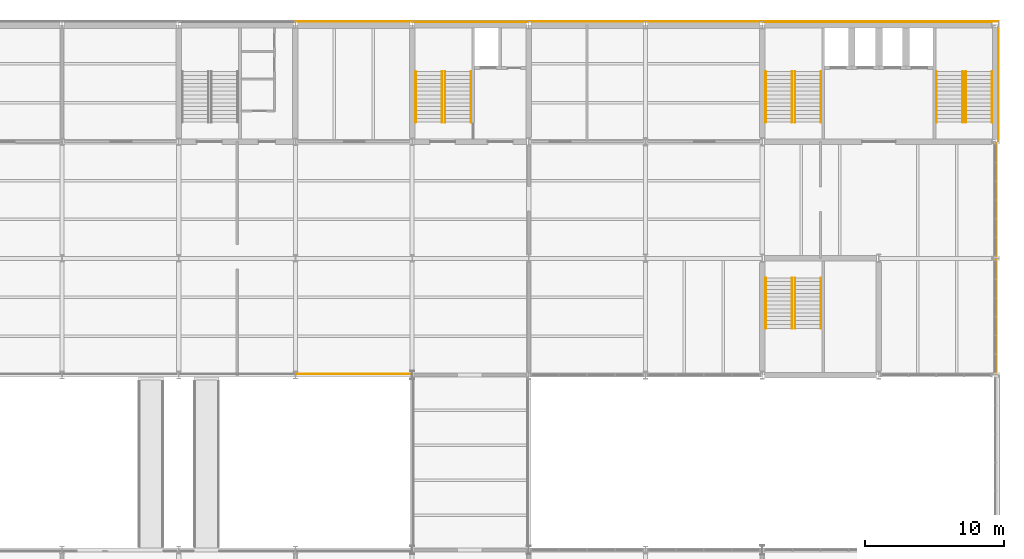
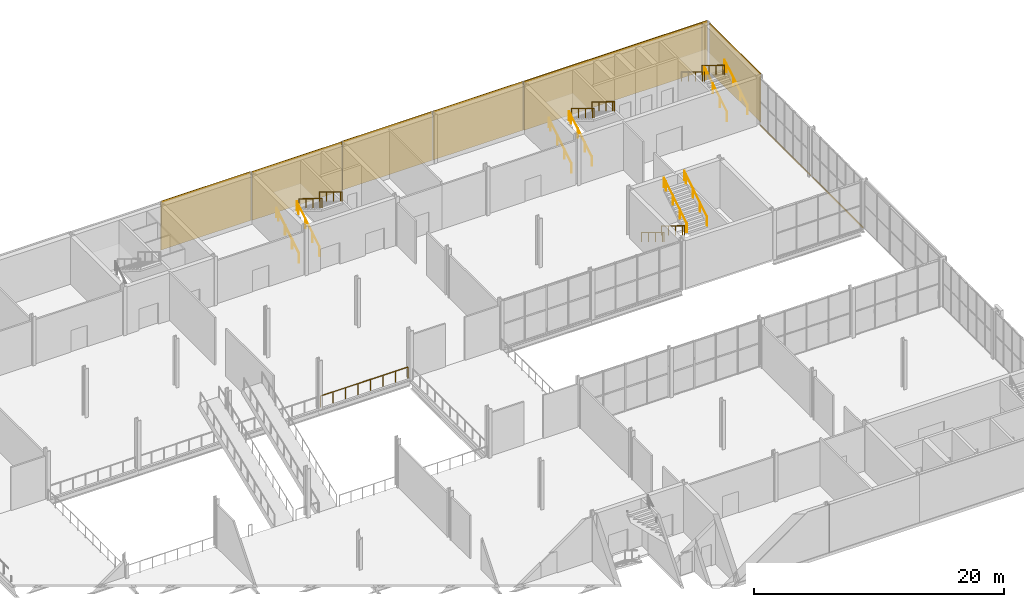
# One storey, part 58 of 61: 17 railings, 9 coverings.
"""IFC4 building model written with IfcOpenShell, lengths in metres."""

import ifcopenshell
import ifcopenshell.guid

model = None  # the IFC model being written
_history = None  # IfcOwnerHistory: only IFC2X3 demands one
_inside = {}  # id of a spatial element -> (the spatial element, [elements in it])
_under = {}  # id of a project, library or spatial element -> (it, [spatial elements below it])
_declared = {}  # id of a project -> (the project, [libraries it declares])
_typed = {}  # id of a type object -> (the type object, [elements of that type])
_made_of = {}  # id of a material, layer set ... -> (it, [elements and type objects made of it])


def new_model(schema):
    """Start an empty IFC model of exactly this schema.

    Asked for "IFC4X3", IfcOpenShell would pick the latest addendum, in which some entities
    have other attributes; the version numbers below select the first issue.
    IFC2X3 requires an IfcOwnerHistory on every rooted entity: one is made here for all.
    """
    global model, _history
    if schema == "IFC4X3":
        model = ifcopenshell.file(schema_version=(4, 3, 0, 0))
    else:
        model = ifcopenshell.file(schema=schema)
    _inside.clear()
    _under.clear()
    _declared.clear()
    _typed.clear()
    _made_of.clear()
    _history = None
    if model.schema == "IFC2X3":
        org = make("IfcOrganization", Name="unknown")
        user = make(
            "IfcPersonAndOrganization",
            ThePerson=make("IfcPerson", FamilyName="unknown"),
            TheOrganization=org,
        )
        app = make(
            "IfcApplication",
            ApplicationDeveloper=org,
            Version="unknown",
            ApplicationFullName="unknown",
            ApplicationIdentifier="unknown",
        )
        _history = make(
            "IfcOwnerHistory",
            OwningUser=user,
            OwningApplication=app,
            ChangeAction="ADDED",
            CreationDate=0,
        )
    return model


def make(cls, **values):
    """One entity of the class cls with the attributes given. An attribute that is None is left unset."""
    return model.create_entity(
        cls, **{name: value for name, value in values.items() if value is not None}
    )


def rooted(cls, **values):
    """An entity with a GlobalId (a new one), such as an element, a storey or a relation."""
    return make(cls, GlobalId=ifcopenshell.guid.new(), OwnerHistory=_history, **values)


def si_unit(unit_type, name, prefix=None):
    """IfcSIUnit, for example si_unit("LENGTHUNIT", "METRE", prefix="MILLI")."""
    return make("IfcSIUnit", UnitType=unit_type, Prefix=prefix, Name=name)


def assignment(units):
    """IfcUnitAssignment: the units of a project."""
    return None if units is None else make("IfcUnitAssignment", Units=units)


def point(xyz):
    """IfcCartesianPoint."""
    return None if xyz is None else make("IfcCartesianPoint", Coordinates=xyz)


def direction(xyz):
    """IfcDirection."""
    return None if xyz is None else make("IfcDirection", DirectionRatios=xyz)


def frame(location, z_axis=None, x_axis=None):
    """IfcAxis2Placement3D, a coordinate frame: its origin and axes. An axis left out is left unset."""
    return make(
        "IfcAxis2Placement3D",
        Location=point(location),
        Axis=direction(z_axis),
        RefDirection=direction(x_axis),
    )


def frame_2d(location, x_axis=None):
    """IfcAxis2Placement2D, a coordinate frame in the plane: its origin and x axis."""
    return make(
        "IfcAxis2Placement2D", Location=point(location), RefDirection=direction(x_axis)
    )


def origin():
    """The frame at (0, 0, 0) with its axes left unset."""
    return frame((0.0, 0.0, 0.0))


def origin_2d():
    """The frame at (0, 0) in the plane with its x axis left unset."""
    return frame_2d((0.0, 0.0))


def place(relative_to, where):
    """IfcLocalPlacement: puts the frame where relative to a parent placement (None: the world)."""
    return make(
        "IfcLocalPlacement", PlacementRelTo=relative_to, RelativePlacement=where
    )


def context(
    kind, dimensions, precision=None, world=None, true_north=None, identifier=None
):
    """IfcGeometricRepresentationContext, for example the 3D "Model" context."""
    return make(
        "IfcGeometricRepresentationContext",
        ContextIdentifier=identifier,
        ContextType=kind,
        CoordinateSpaceDimension=dimensions,
        Precision=precision,
        WorldCoordinateSystem=world,
        TrueNorth=true_north,
    )


def subcontext(parent, identifier, kind, view, scale=None):
    """IfcGeometricRepresentationSubContext, for example "Body" below "Model"."""
    return make(
        "IfcGeometricRepresentationSubContext",
        ContextIdentifier=identifier,
        ContextType=kind,
        ParentContext=parent,
        TargetScale=scale,
        TargetView=view,
    )


def project(units=None, contexts=None):
    """IfcProject with its units and contexts."""
    return rooted(
        "IfcProject",
        Name="project",
        RepresentationContexts=contexts,
        UnitsInContext=assignment(units),
    )


def spatial(cls, under=None, at=None, **own):
    """A site, building, storey or space (cls), placed at a placement, below another one or the project."""
    s = rooted(cls, ObjectPlacement=at, **own)
    if under is not None:
        _under.setdefault(under.id(), (under, []))[1].append(s)
    return s


def profile(cls, at=None, kind="AREA", **sizes):
    """A parametric profile (cls). Its sizes go by their IFC names, for example OverallWidth=200.0."""
    return make(cls, ProfileType=kind, Position=at, **sizes)


def rectangle(**sizes):
    """IfcRectangleProfileDef."""
    return profile("IfcRectangleProfileDef", **sizes)


def circle(**sizes):
    """IfcCircleProfileDef."""
    return profile("IfcCircleProfileDef", **sizes)


def extrude(swept, where, along, depth):
    """IfcExtrudedAreaSolid: the profile swept, set in the frame where, extruded along a direction by depth."""
    return make(
        "IfcExtrudedAreaSolid",
        SweptArea=swept,
        Position=where,
        ExtrudedDirection=direction(along),
        Depth=depth,
    )


def shape(context_of_items, identifier, shape_type, items):
    """IfcShapeRepresentation: the items that make up one representation, for example the "Body"."""
    return make(
        "IfcShapeRepresentation",
        ContextOfItems=context_of_items,
        RepresentationIdentifier=identifier,
        RepresentationType=shape_type,
        Items=items,
    )


def material(Name=None, Category=None):
    """IfcMaterial."""
    return make("IfcMaterial", Name=Name, Category=Category)


def layer(
    of_material, thickness, ventilated=None, Name=None, Category=None, Priority=None
):
    """IfcMaterialLayer: one layer of a wall or slab, of a material (None: an air gap)."""
    return make(
        "IfcMaterialLayer",
        Material=of_material,
        LayerThickness=thickness,
        IsVentilated=ventilated,
        Name=Name,
        Category=Category,
        Priority=Priority,
    )


def layer_set(layers, Name=None):
    """IfcMaterialLayerSet."""
    return make("IfcMaterialLayerSet", MaterialLayers=layers, LayerSetName=Name)


def made_of(thing, what):
    """Note that an element or type object is made of a material, layer set ...; save() writes the relation."""
    if what is not None:
        _made_of.setdefault(what.id(), (what, []))[1].append(thing)
    return thing


def type_object(cls, material=None, **own):
    """A type object (cls), such as IfcWallType, which elements share."""
    return made_of(rooted(cls, **own), material)


def element(
    cls,
    number,
    at=None,
    inside=None,
    cuts=None,
    type_object=None,
    material=None,
    context=None,
    identifier="Body",
    shape_type=None,
    held_by="IfcProductDefinitionShape",
    body=None,
    shapes=None,
    **own,
):
    """One element of the class cls, such as IfcWall. Its Tag is "e" and its number.

    at: its placement. inside: the storey or other place that contains it. cuts: it is an
    opening in that element (IfcRelVoidsElement). A single representation is given by context,
    identifier, shape_type and body (its items); several are given by shapes. held_by: the class
    of the entity that holds the representations. save() writes the other relations.
    """
    e = rooted(cls, Tag="e%d" % number, ObjectPlacement=at, **own)
    if body is not None:
        shapes = [shape(context, identifier, shape_type, body)]
    if shapes is not None:
        e.Representation = make(held_by, Representations=shapes)
    if inside is not None:
        _inside.setdefault(inside.id(), (inside, []))[1].append(e)
    if cuts is not None:
        rooted(
            "IfcRelVoidsElement", RelatingBuildingElement=cuts, RelatedOpeningElement=e
        )
    if type_object is not None:
        _typed.setdefault(type_object.id(), (type_object, []))[1].append(e)
    return made_of(e, material)


def aggregate(whole, parts):
    """IfcRelAggregates: a whole, such as a stair, and the parts it consists of."""
    return rooted("IfcRelAggregates", RelatingObject=whole, RelatedObjects=parts)


def save(model, path):
    """Write the relations noted so far, then the file.

    IfcRelAggregates (storeys below a building ...), IfcRelContainedInSpatialStructure (elements
    in a storey), IfcRelDefinesByType, IfcRelAssociatesMaterial and IfcRelDeclares: one each for
    every whole, place, type object, material and project.
    """
    for whole, parts in _under.values():
        aggregate(whole, parts)
    for where, things in _inside.values():
        rooted(
            "IfcRelContainedInSpatialStructure",
            RelatedElements=things,
            RelatingStructure=where,
        )
    for kind, things in _typed.values():
        rooted("IfcRelDefinesByType", RelatedObjects=things, RelatingType=kind)
    for what, things in _made_of.values():
        rooted("IfcRelAssociatesMaterial", RelatedObjects=things, RelatingMaterial=what)
    for by, libraries in _declared.values():
        rooted("IfcRelDeclares", RelatingContext=by, RelatedDefinitions=libraries)
    model.write(path)


model = new_model("IFC4")

# Units and contexts
model_context = context("Model", 3, precision=1e-05, world=origin(), true_north=direction((0.0, 1.0)))
body_context = subcontext(model_context, "Body", "Model", "MODEL_VIEW")
ifc_project = project(units=[si_unit("LENGTHUNIT", "METRE"), si_unit("AREAUNIT", "SQUARE_METRE"), si_unit("VOLUMEUNIT", "CUBIC_METRE"), si_unit("PLANEANGLEUNIT", "RADIAN"), si_unit("MASSUNIT", "GRAM", prefix="KILO")], contexts=[model_context])

# Site, building, storey
site_placement = place(None, origin())
site = spatial("IfcSite", under=ifc_project, at=site_placement, CompositionType="ELEMENT")
building_placement = place(site_placement, origin())
building = spatial("IfcBuilding", under=site, at=building_placement, Name="Galleria Vessillo Department Store", CompositionType="ELEMENT")
storey_placement = place(building_placement, frame((0.0, 0.0, 11.39990234375)))
storey = spatial("IfcBuildingStorey", under=building, at=storey_placement, Name="L02", CompositionType="ELEMENT", Elevation=11.39990234375)

# Railing
ifc_material_1 = material(Name="Stainless steel tube", Category="steel")
railing_type_1 = type_object("IfcRailingType", Name="Atrium edge guard 1100 mm", PredefinedType="GUARDRAIL", material=ifc_material_1)
railing_placement = place(storey_placement, frame((67.35302734375, 37.880126953125, 0.0)))
element("IfcRailing", 1, at=railing_placement, inside=storey, type_object=railing_type_1, Name="Atrium edge guard L02-11", PredefinedType="GUARDRAIL", context=body_context, shape_type="SweptSolid", body=[
    extrude(circle(Radius=0.02392578125, at=origin_2d()), frame((0.0, 0.0, 1.076171875), z_axis=(1.0, 0.0, 0.0), x_axis=(0.0, 1.0, 0.0)), (0.0, 0.0, 1.0), 8.094482421875),
    extrude(circle(Radius=0.02099609375, at=origin_2d()), origin(), (0.0, 0.0, 1.0), 1.052001953125),
    extrude(circle(Radius=0.02099609375, at=origin_2d()), frame((1.15625, 0.0, 0.0)), (0.0, 0.0, 1.0), 1.052001953125),
    extrude(circle(Radius=0.02099609375, at=origin_2d()), frame((2.312744140625, 0.0, 0.0)), (0.0, 0.0, 1.0), 1.052001953125),
    extrude(circle(Radius=0.02099609375, at=origin_2d()), frame((3.468994140625, 0.0, 0.0)), (0.0, 0.0, 1.0), 1.052001953125),
    extrude(circle(Radius=0.02099609375, at=origin_2d()), frame((4.62548828125, 0.0, 0.0)), (0.0, 0.0, 1.0), 1.052001953125),
    extrude(circle(Radius=0.02099609375, at=origin_2d()), frame((5.78173828125, 0.0, 0.0)), (0.0, 0.0, 1.0), 1.052001953125),
    extrude(circle(Radius=0.02099609375, at=origin_2d()), frame((6.938232421875, 0.0, 0.0)), (0.0, 0.0, 1.0), 1.052001953125),
    extrude(circle(Radius=0.02099609375, at=origin_2d()), frame((8.094482421875, 0.0, 0.0)), (0.0, 0.0, 1.0), 1.052001953125),
])

# Coverings
ifc_material_2 = material(Name="Lime plaster (intonaco) ochre")
ifc_layer_1 = layer(ifc_material_2, 0.030029296875)
ifc_layer_set_1 = layer_set([ifc_layer_1], Name="Lime plaster (intonaco) ochre")
covering_type_1 = type_object("IfcCoveringType", Name="Lime plaster render 30 mm", PredefinedType="CLADDING", material=ifc_layer_set_1)
covering_1_placement = place(storey_placement, frame((71.39990234375, 63.264892578125, 0.0), z_axis=(0.0, 0.0, 1.0), x_axis=(1.0, 0.0, 0.0)))
element("IfcCovering", 2, at=covering_1_placement, inside=storey, type_object=covering_type_1, Name="Wall cladding S-PN-L02-06", PredefinedType="CLADDING", context=body_context, shape_type="SweptSolid", body=[
    extrude(rectangle(XDim=8.34033203125, YDim=0.030029296875, at=origin_2d()), origin(), (0.0, 0.0, 1.0), 4.800048828125),
])
covering_2_placement = place(storey_placement, frame((79.798583984375, 63.215087890625, 0.0), z_axis=(0.0, 0.0, 1.0), x_axis=(1.0, 0.0, 0.0)))
element("IfcCovering", 3, at=covering_2_placement, inside=storey, type_object=covering_type_1, Name="Wall cladding S-CW-PC-NE-PARTY-L02", PredefinedType="CLADDING", context=body_context, shape_type="SweptSolid", body=[
    extrude(rectangle(XDim=8.3369140625, YDim=0.030029296875, at=origin_2d()), origin(), (0.0, 0.0, 1.0), 4.800048828125),
])
covering_3_placement = place(storey_placement, frame((88.199951171875, 63.264892578125, 0.0), z_axis=(0.0, 0.0, 1.0), x_axis=(1.0, 0.0, 0.0)))
element("IfcCovering", 4, at=covering_3_placement, inside=storey, type_object=covering_type_1, Name="Wall cladding S-PN-L02-07", PredefinedType="CLADDING", context=body_context, shape_type="SweptSolid", body=[
    extrude(rectangle(XDim=8.333740234375, YDim=0.030029296875, at=origin_2d()), origin(), (0.0, 0.0, 1.0), 4.800048828125),
])
covering_4_placement = place(storey_placement, frame((96.60009765625, 63.264892578125, 0.0), z_axis=(0.0, 0.0, 1.0), x_axis=(1.0, 0.0, 0.0)))
element("IfcCovering", 5, at=covering_4_placement, inside=storey, type_object=covering_type_1, Name="Wall cladding S-PN-L02-08", PredefinedType="CLADDING", context=body_context, shape_type="SweptSolid", body=[
    extrude(rectangle(XDim=8.333984375, YDim=0.030029296875, at=origin_2d()), origin(), (0.0, 0.0, 1.0), 4.800048828125),
])
covering_5_placement = place(storey_placement, frame((109.073486328125, 63.215087890625, 0.0), z_axis=(0.0, 0.0, 1.0), x_axis=(1.0, 0.0, 0.0)))
element("IfcCovering", 6, at=covering_5_placement, inside=storey, type_object=covering_type_1, Name="Wall cladding S-CW-TC-PARTY-L02", PredefinedType="CLADDING", context=body_context, shape_type="SweptSolid", body=[
    extrude(rectangle(XDim=16.48095703125, YDim=0.030029296875, at=origin_2d()), origin(), (0.0, 0.0, 1.0), 4.800048828125),
])
covering_6_placement = place(storey_placement, frame((109.298583984375, 63.264892578125, 0.0), z_axis=(0.0, 0.0, 1.0), x_axis=(1.0, 0.0, 0.0)))
element("IfcCovering", 7, at=covering_6_placement, inside=storey, type_object=covering_type_1, Name="Corner cladding L02 y=63 south/north face", PredefinedType="CLADDING", context=body_context, shape_type="SweptSolid", body=[
    extrude(rectangle(XDim=17.06298828125, YDim=0.030029296875, at=origin_2d()), origin(), (0.0, 0.0, 1.0), 4.800048828125),
])
ifc_material_3 = material(Name="Botticino limestone ashlar", Category="masonry")
ifc_layer_2 = layer(ifc_material_3, 0.14990234375)
ifc_layer_set_2 = layer_set([ifc_layer_2], Name="Botticino limestone ashlar")
covering_type_2 = type_object("IfcCoveringType", Name="Limestone slab-edge fascia 150 mm", PredefinedType="CLADDING", material=ifc_layer_set_2)
covering_7_placement = place(storey_placement, frame((117.630126953125, 42.0, -0.14990234375), z_axis=(0.0, 0.0, 1.0), x_axis=(1.0, 0.0, 0.0)))
element("IfcCovering", 8, at=covering_7_placement, inside=storey, type_object=covering_type_2, Name="Slab-edge fascia SE-N-L01-01", PredefinedType="CLADDING", context=body_context, shape_type="SweptSolid", body=[
    extrude(rectangle(XDim=0.06005859375, YDim=8.093994140625, at=origin_2d()), origin(), (0.0, 0.0, 1.0), 0.14990234375),
])
covering_8_placement = place(storey_placement, frame((117.630126953125, 50.39990234375, -0.14990234375), z_axis=(0.0, 0.0, 1.0), x_axis=(1.0, 0.0, 0.0)))
element("IfcCovering", 9, at=covering_8_placement, inside=storey, type_object=covering_type_2, Name="Slab-edge fascia SE-N-L01-02", PredefinedType="CLADDING", context=body_context, shape_type="SweptSolid", body=[
    extrude(rectangle(XDim=0.06005859375, YDim=8.09423828125, at=origin_2d()), origin(), (0.0, 0.0, 1.0), 0.14990234375),
])
ifc_material_4 = material(Name="Botticino limestone ashlar", Category="masonry")
ifc_layer_3 = layer(ifc_material_4, 0.030029296875)
ifc_layer_set_3 = layer_set([ifc_layer_3], Name="Botticino limestone ashlar")
covering_type_3 = type_object("IfcCoveringType", Name="Limestone wall cladding 30 mm", PredefinedType="CLADDING", material=ifc_layer_set_3)
covering_9_placement = place(storey_placement, frame((117.815185546875, 58.739990234375, 0.0), z_axis=(0.0, 0.0, 1.0), x_axis=(1.0, 0.0, 0.0)))
element("IfcCovering", 10, at=covering_9_placement, inside=storey, type_object=covering_type_3, Name="Wall cladding S-CW-TC-EAST-L02", PredefinedType="CLADDING", context=body_context, shape_type="SweptSolid", body=[
    extrude(rectangle(XDim=0.030029296875, YDim=8.2138671875, at=origin_2d()), origin(), (0.0, 0.0, 1.0), 4.800048828125),
])

# Railings
ifc_material_5 = material(Name="Stainless steel tube", Category="steel")
railing_type_2 = type_object("IfcRailingType", Name="Stair handrail steel tube 48 mm", PredefinedType="HANDRAIL", material=ifc_material_5)
for number, where, name in (
    (11, (75.860107421875, 56.0, 0.17138671875), "Handrail ST6 L02 flight 1A"),
    (12, (77.739990234375, 56.0, 0.17138671875), "Handrail ST6 L02 flight 1B"),
):
    element("IfcRailing", number, at=place(storey_placement, frame(where)), inside=storey, type_object=railing_type_2, Name=name, PredefinedType="HANDRAIL", context=body_context, shape_type="SweptSolid", body=[
        extrude(circle(Radius=0.02392578125, at=origin_2d()), frame((0.0, 0.0, 0.89599609375), z_axis=(0.0, 0.852849614702, 0.52215661894), x_axis=(-1.0, 0.0, 0.0)), (0.0, 0.0, 1.0), 1.3134765625),
        extrude(circle(Radius=0.02392578125, at=origin_2d()), frame((0.0, 1.1201171875, 1.58154296875), z_axis=(0.0, 0.852798921012, 0.522239409008), x_axis=(-1.0, 0.0, 0.0)), (0.0, 0.0, 1.0), 1.313232421875),
        extrude(circle(Radius=0.02392578125, at=origin_2d()), frame((0.0, 2.239990234375, 2.267578125), z_axis=(0.0, 0.852932391421, 0.522021393877), x_axis=(-1.0, 0.0, 0.0)), (0.0, 0.0, 1.0), 1.313232421875),
        extrude(circle(Radius=0.02392578125, at=origin_2d()), frame((0.0, 3.360107421875, 2.953125), z_axis=(0.0, 0.852729557261, 0.522352660731), x_axis=(-1.0, 0.0, 0.0)), (0.0, 0.0, 1.0), 0.328125),
        extrude(circle(Radius=0.02099609375, at=origin_2d()), origin(), (0.0, 0.0, 1.0), 0.871826171875),
        extrude(circle(Radius=0.02099609375, at=origin_2d()), frame((0.0, 1.1201171875, 0.685791015625)), (0.0, 0.0, 1.0), 0.871826171875),
        extrude(circle(Radius=0.02099609375, at=origin_2d()), frame((0.0, 2.239990234375, 1.37158203125)), (0.0, 0.0, 1.0), 0.871826171875),
        extrude(circle(Radius=0.02099609375, at=origin_2d()), frame((0.0, 3.360107421875, 2.05712890625)), (0.0, 0.0, 1.0), 0.871826171875),
        extrude(circle(Radius=0.02099609375, at=origin_2d()), frame((0.0, 3.639892578125, 2.228515625)), (0.0, 0.0, 1.0), 0.871826171875),
    ])
for number, where, name in (
    (13, (79.83984375, 59.639892578125, 2.571533203125), "Handrail ST6 L02 flight 2A"),
    (14, (77.9599609375, 59.639892578125, 2.571533203125), "Handrail ST6 L02 flight 2B"),
):
    element("IfcRailing", number, at=place(storey_placement, frame(where)), inside=storey, type_object=railing_type_2, Name=name, PredefinedType="HANDRAIL", context=body_context, shape_type="SweptSolid", body=[
        extrude(circle(Radius=0.02392578125, at=origin_2d()), frame((0.0, 0.0, 0.89599609375), z_axis=(0.0, -0.852849614702, 0.52215661894), x_axis=(1.0, 0.0, 0.0)), (0.0, 0.0, 1.0), 1.3134765625),
        extrude(circle(Radius=0.02392578125, at=origin_2d()), frame((0.0, -1.1201171875, 1.58154296875), z_axis=(0.0, -0.852798921012, 0.522239409008), x_axis=(1.0, 0.0, 0.0)), (0.0, 0.0, 1.0), 1.313232421875),
        extrude(circle(Radius=0.02392578125, at=origin_2d()), frame((0.0, -2.239990234375, 2.267578125), z_axis=(0.0, -0.852932391421, 0.522021393877), x_axis=(1.0, 0.0, 0.0)), (0.0, 0.0, 1.0), 1.313232421875),
        extrude(circle(Radius=0.02392578125, at=origin_2d()), frame((0.0, -3.360107421875, 2.953125), z_axis=(0.0, -0.852729557261, 0.522352660731), x_axis=(1.0, 0.0, 0.0)), (0.0, 0.0, 1.0), 0.328125),
        extrude(circle(Radius=0.02099609375, at=origin_2d()), origin(), (0.0, 0.0, 1.0), 0.871826171875),
        extrude(circle(Radius=0.02099609375, at=origin_2d()), frame((0.0, -1.1201171875, 0.685791015625)), (0.0, 0.0, 1.0), 0.871826171875),
        extrude(circle(Radius=0.02099609375, at=origin_2d()), frame((0.0, -2.239990234375, 1.37158203125)), (0.0, 0.0, 1.0), 0.871826171875),
        extrude(circle(Radius=0.02099609375, at=origin_2d()), frame((0.0, -3.360107421875, 2.05712890625)), (0.0, 0.0, 1.0), 0.871826171875),
        extrude(circle(Radius=0.02099609375, at=origin_2d()), frame((0.0, -3.639892578125, 2.228515625)), (0.0, 0.0, 1.0), 0.871826171875),
    ])
for number, where, name in (
    (15, (101.06005859375, 56.0, 0.17138671875), "Handrail ST8 L02 flight 1A"),
    (16, (102.93994140625, 56.0, 0.17138671875), "Handrail ST8 L02 flight 1B"),
):
    element("IfcRailing", number, at=place(storey_placement, frame(where)), inside=storey, type_object=railing_type_2, Name=name, PredefinedType="HANDRAIL", context=body_context, shape_type="SweptSolid", body=[
        extrude(circle(Radius=0.02392578125, at=origin_2d()), frame((0.0, 0.0, 0.89599609375), z_axis=(0.0, 0.852849614702, 0.52215661894), x_axis=(-1.0, 0.0, 0.0)), (0.0, 0.0, 1.0), 1.3134765625),
        extrude(circle(Radius=0.02392578125, at=origin_2d()), frame((0.0, 1.1201171875, 1.58154296875), z_axis=(0.0, 0.852798921012, 0.522239409008), x_axis=(-1.0, 0.0, 0.0)), (0.0, 0.0, 1.0), 1.313232421875),
        extrude(circle(Radius=0.02392578125, at=origin_2d()), frame((0.0, 2.239990234375, 2.267578125), z_axis=(0.0, 0.852932391421, 0.522021393877), x_axis=(-1.0, 0.0, 0.0)), (0.0, 0.0, 1.0), 1.313232421875),
        extrude(circle(Radius=0.02392578125, at=origin_2d()), frame((0.0, 3.360107421875, 2.953125), z_axis=(0.0, 0.852729557261, 0.522352660731), x_axis=(-1.0, 0.0, 0.0)), (0.0, 0.0, 1.0), 0.328125),
        extrude(circle(Radius=0.02099609375, at=origin_2d()), origin(), (0.0, 0.0, 1.0), 0.871826171875),
        extrude(circle(Radius=0.02099609375, at=origin_2d()), frame((0.0, 1.1201171875, 0.685791015625)), (0.0, 0.0, 1.0), 0.871826171875),
        extrude(circle(Radius=0.02099609375, at=origin_2d()), frame((0.0, 2.239990234375, 1.37158203125)), (0.0, 0.0, 1.0), 0.871826171875),
        extrude(circle(Radius=0.02099609375, at=origin_2d()), frame((0.0, 3.360107421875, 2.05712890625)), (0.0, 0.0, 1.0), 0.871826171875),
        extrude(circle(Radius=0.02099609375, at=origin_2d()), frame((0.0, 3.639892578125, 2.228515625)), (0.0, 0.0, 1.0), 0.871826171875),
    ])
for number, where, name in (
    (17, (105.0400390625, 59.639892578125, 2.571533203125), "Handrail ST8 L02 flight 2A"),
    (18, (103.16015625, 59.639892578125, 2.571533203125), "Handrail ST8 L02 flight 2B"),
):
    element("IfcRailing", number, at=place(storey_placement, frame(where)), inside=storey, type_object=railing_type_2, Name=name, PredefinedType="HANDRAIL", context=body_context, shape_type="SweptSolid", body=[
        extrude(circle(Radius=0.02392578125, at=origin_2d()), frame((0.0, 0.0, 0.89599609375), z_axis=(0.0, -0.852849614702, 0.52215661894), x_axis=(1.0, 0.0, 0.0)), (0.0, 0.0, 1.0), 1.3134765625),
        extrude(circle(Radius=0.02392578125, at=origin_2d()), frame((0.0, -1.1201171875, 1.58154296875), z_axis=(0.0, -0.852798921012, 0.522239409008), x_axis=(1.0, 0.0, 0.0)), (0.0, 0.0, 1.0), 1.313232421875),
        extrude(circle(Radius=0.02392578125, at=origin_2d()), frame((0.0, -2.239990234375, 2.267578125), z_axis=(0.0, -0.852932391421, 0.522021393877), x_axis=(1.0, 0.0, 0.0)), (0.0, 0.0, 1.0), 1.313232421875),
        extrude(circle(Radius=0.02392578125, at=origin_2d()), frame((0.0, -3.360107421875, 2.953125), z_axis=(0.0, -0.852729557261, 0.522352660731), x_axis=(1.0, 0.0, 0.0)), (0.0, 0.0, 1.0), 0.328125),
        extrude(circle(Radius=0.02099609375, at=origin_2d()), origin(), (0.0, 0.0, 1.0), 0.871826171875),
        extrude(circle(Radius=0.02099609375, at=origin_2d()), frame((0.0, -1.1201171875, 0.685791015625)), (0.0, 0.0, 1.0), 0.871826171875),
        extrude(circle(Radius=0.02099609375, at=origin_2d()), frame((0.0, -2.239990234375, 1.37158203125)), (0.0, 0.0, 1.0), 0.871826171875),
        extrude(circle(Radius=0.02099609375, at=origin_2d()), frame((0.0, -3.360107421875, 2.05712890625)), (0.0, 0.0, 1.0), 0.871826171875),
        extrude(circle(Radius=0.02099609375, at=origin_2d()), frame((0.0, -3.639892578125, 2.228515625)), (0.0, 0.0, 1.0), 0.871826171875),
    ])
for number, where, name in (
    (19, (115.4599609375, 56.0, 0.17138671875), "Handrail ST9 L02 flight 1A"),
    (20, (117.33984375, 56.0, 0.17138671875), "Handrail ST9 L02 flight 1B"),
):
    element("IfcRailing", number, at=place(storey_placement, frame(where)), inside=storey, type_object=railing_type_2, Name=name, PredefinedType="HANDRAIL", context=body_context, shape_type="SweptSolid", body=[
        extrude(circle(Radius=0.02392578125, at=origin_2d()), frame((0.0, 0.0, 0.89599609375), z_axis=(0.0, 0.852849614702, 0.52215661894), x_axis=(-1.0, 0.0, 0.0)), (0.0, 0.0, 1.0), 1.3134765625),
        extrude(circle(Radius=0.02392578125, at=origin_2d()), frame((0.0, 1.1201171875, 1.58154296875), z_axis=(0.0, 0.852798921012, 0.522239409008), x_axis=(-1.0, 0.0, 0.0)), (0.0, 0.0, 1.0), 1.313232421875),
        extrude(circle(Radius=0.02392578125, at=origin_2d()), frame((0.0, 2.239990234375, 2.267578125), z_axis=(0.0, 0.852932391421, 0.522021393877), x_axis=(-1.0, 0.0, 0.0)), (0.0, 0.0, 1.0), 1.313232421875),
        extrude(circle(Radius=0.02392578125, at=origin_2d()), frame((0.0, 3.360107421875, 2.953125), z_axis=(0.0, 0.852729557261, 0.522352660731), x_axis=(-1.0, 0.0, 0.0)), (0.0, 0.0, 1.0), 0.328125),
        extrude(circle(Radius=0.02099609375, at=origin_2d()), origin(), (0.0, 0.0, 1.0), 0.871826171875),
        extrude(circle(Radius=0.02099609375, at=origin_2d()), frame((0.0, 1.1201171875, 0.685791015625)), (0.0, 0.0, 1.0), 0.871826171875),
        extrude(circle(Radius=0.02099609375, at=origin_2d()), frame((0.0, 2.239990234375, 1.37158203125)), (0.0, 0.0, 1.0), 0.871826171875),
        extrude(circle(Radius=0.02099609375, at=origin_2d()), frame((0.0, 3.360107421875, 2.05712890625)), (0.0, 0.0, 1.0), 0.871826171875),
        extrude(circle(Radius=0.02099609375, at=origin_2d()), frame((0.0, 3.639892578125, 2.228515625)), (0.0, 0.0, 1.0), 0.871826171875),
    ])
for number, where, name in (
    (21, (115.239990234375, 59.639892578125, 2.571533203125), "Handrail ST9 L02 flight 2A"),
    (22, (113.360107421875, 59.639892578125, 2.571533203125), "Handrail ST9 L02 flight 2B"),
    (23, (102.93994140625, 44.800048828125, 0.17138671875), "Handrail ST12 L02 flight 1A"),
    (24, (101.06005859375, 44.800048828125, 0.17138671875), "Handrail ST12 L02 flight 1B"),
):
    element("IfcRailing", number, at=place(storey_placement, frame(where)), inside=storey, type_object=railing_type_2, Name=name, PredefinedType="HANDRAIL", context=body_context, shape_type="SweptSolid", body=[
        extrude(circle(Radius=0.02392578125, at=origin_2d()), frame((0.0, 0.0, 0.89599609375), z_axis=(0.0, -0.852849614702, 0.52215661894), x_axis=(1.0, 0.0, 0.0)), (0.0, 0.0, 1.0), 1.3134765625),
        extrude(circle(Radius=0.02392578125, at=origin_2d()), frame((0.0, -1.1201171875, 1.58154296875), z_axis=(0.0, -0.852798921012, 0.522239409008), x_axis=(1.0, 0.0, 0.0)), (0.0, 0.0, 1.0), 1.313232421875),
        extrude(circle(Radius=0.02392578125, at=origin_2d()), frame((0.0, -2.239990234375, 2.267578125), z_axis=(0.0, -0.852932391421, 0.522021393877), x_axis=(1.0, 0.0, 0.0)), (0.0, 0.0, 1.0), 1.313232421875),
        extrude(circle(Radius=0.02392578125, at=origin_2d()), frame((0.0, -3.360107421875, 2.953125), z_axis=(0.0, -0.852729557261, 0.522352660731), x_axis=(1.0, 0.0, 0.0)), (0.0, 0.0, 1.0), 0.328125),
        extrude(circle(Radius=0.02099609375, at=origin_2d()), origin(), (0.0, 0.0, 1.0), 0.871826171875),
        extrude(circle(Radius=0.02099609375, at=origin_2d()), frame((0.0, -1.1201171875, 0.685791015625)), (0.0, 0.0, 1.0), 0.871826171875),
        extrude(circle(Radius=0.02099609375, at=origin_2d()), frame((0.0, -2.239990234375, 1.37158203125)), (0.0, 0.0, 1.0), 0.871826171875),
        extrude(circle(Radius=0.02099609375, at=origin_2d()), frame((0.0, -3.360107421875, 2.05712890625)), (0.0, 0.0, 1.0), 0.871826171875),
        extrude(circle(Radius=0.02099609375, at=origin_2d()), frame((0.0, -3.639892578125, 2.228515625)), (0.0, 0.0, 1.0), 0.871826171875),
    ])
for number, where, name in (
    (25, (103.16015625, 41.159912109375, 2.571533203125), "Handrail ST12 L02 flight 2A"),
    (26, (105.0400390625, 41.159912109375, 2.571533203125), "Handrail ST12 L02 flight 2B"),
):
    element("IfcRailing", number, at=place(storey_placement, frame(where)), inside=storey, type_object=railing_type_2, Name=name, PredefinedType="HANDRAIL", context=body_context, shape_type="SweptSolid", body=[
        extrude(circle(Radius=0.02392578125, at=origin_2d()), frame((0.0, 0.0, 0.89599609375), z_axis=(0.0, 0.852849614702, 0.52215661894), x_axis=(-1.0, 0.0, 0.0)), (0.0, 0.0, 1.0), 1.3134765625),
        extrude(circle(Radius=0.02392578125, at=origin_2d()), frame((0.0, 1.1201171875, 1.58154296875), z_axis=(0.0, 0.852798921012, 0.522239409008), x_axis=(-1.0, 0.0, 0.0)), (0.0, 0.0, 1.0), 1.313232421875),
        extrude(circle(Radius=0.02392578125, at=origin_2d()), frame((0.0, 2.239990234375, 2.267578125), z_axis=(0.0, 0.852932391421, 0.522021393877), x_axis=(-1.0, 0.0, 0.0)), (0.0, 0.0, 1.0), 1.313232421875),
        extrude(circle(Radius=0.02392578125, at=origin_2d()), frame((0.0, 3.360107421875, 2.953125), z_axis=(0.0, 0.852729557261, 0.522352660731), x_axis=(-1.0, 0.0, 0.0)), (0.0, 0.0, 1.0), 0.328125),
        extrude(circle(Radius=0.02099609375, at=origin_2d()), origin(), (0.0, 0.0, 1.0), 0.871826171875),
        extrude(circle(Radius=0.02099609375, at=origin_2d()), frame((0.0, 1.1201171875, 0.685791015625)), (0.0, 0.0, 1.0), 0.871826171875),
        extrude(circle(Radius=0.02099609375, at=origin_2d()), frame((0.0, 2.239990234375, 1.37158203125)), (0.0, 0.0, 1.0), 0.871826171875),
        extrude(circle(Radius=0.02099609375, at=origin_2d()), frame((0.0, 3.360107421875, 2.05712890625)), (0.0, 0.0, 1.0), 0.871826171875),
        extrude(circle(Radius=0.02099609375, at=origin_2d()), frame((0.0, 3.639892578125, 2.228515625)), (0.0, 0.0, 1.0), 0.871826171875),
    ])

save(model, "model.ifc")
